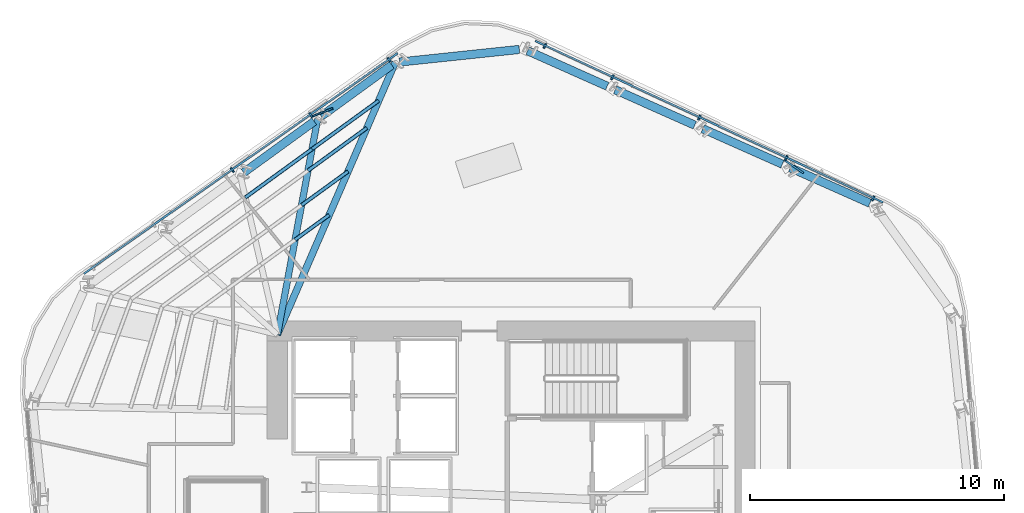
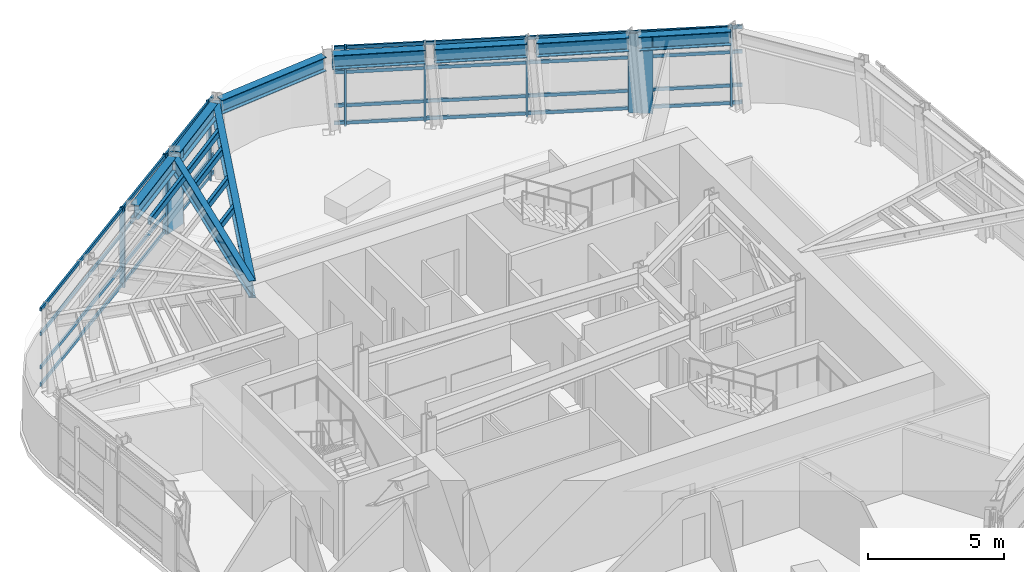
# One storey, part 6 of 14: 23 members, 9 beams, 2 elements without a shape of their own.
"""IFC4 building model written with IfcOpenShell, lengths in metres."""

from ifc_helpers import new_model, si_unit, direction, frame, origin, origin_2d, place, context, subcontext, project, spatial, rectangle, hollow_rectangle, i_section, extrude, material, layer, layer_set, material_profile, profile_set, type_object, element, aggregate, save


model = new_model("IFC4")

# Units and contexts
model_context = context("Model", 3, precision=1e-05, world=origin(), true_north=direction((0.0, 1.0)))
body_context = subcontext(model_context, "Body", "Model", "MODEL_VIEW")
ifc_project = project(units=[si_unit("LENGTHUNIT", "METRE"), si_unit("AREAUNIT", "SQUARE_METRE"), si_unit("VOLUMEUNIT", "CUBIC_METRE"), si_unit("PLANEANGLEUNIT", "RADIAN"), si_unit("MASSUNIT", "GRAM", prefix="KILO")], contexts=[model_context])

# Site, building, storey
site_placement = place(None, origin())
site = spatial("IfcSite", under=ifc_project, at=site_placement, CompositionType="ELEMENT")
building_placement = place(site_placement, origin())
building = spatial("IfcBuilding", under=site, at=building_placement, Name="Valkerne Bourse Tower", CompositionType="ELEMENT")
storey_placement = place(building_placement, frame((0.0, 0.0, 174.199951171875)))
storey = spatial("IfcBuildingStorey", under=building, at=storey_placement, Name="L44", CompositionType="ELEMENT", Elevation=174.199951171875)

# Beams
ifc_material_1 = material(Name="Steel ASTM A992", Category="steel")
ifc_material_profile_1 = material_profile(ifc_material_1, i_section(OverallWidth=0.32763671875, OverallDepth=0.62744140625, WebThickness=0.0166015625, FlangeThickness=0.027587890625, FilletRadius=0.020263671875, at=origin_2d()), Name="W24X146")
ifc_profile_set_1 = profile_set([ifc_material_profile_1], Name="Steel ASTM A992")
beam_type_1 = type_object("IfcBeamType", Name="BM-W24X146", PredefinedType="SPANDREL", material=ifc_profile_set_1)
for number, where, z_axis, x_axis, name in (
    (1, (60.914306640625, 40.576171875, 3.266357421875), (-0.913553153644, 0.406719357133, 0.0), (-0.406719357133, -0.913553153644, 0.0), "L44 Hexagonal Spandrel Ring Beam 00"),
    (2, (57.46923828125, 42.110107421875, 3.266357421875), (-0.913553153644, 0.406719357133, 0.0), (-0.406719357133, -0.913553153644, 0.0), "L44 Hexagonal Spandrel Ring Beam 01"),
):
    element("IfcBeam", number, at=place(storey_placement, frame(where, z_axis=z_axis, x_axis=x_axis)), inside=storey, type_object=beam_type_1, Name=name, PredefinedType="SPANDREL", context=body_context, shape_type="SweptSolid", body=[
        extrude(i_section(OverallWidth=0.32763671875, OverallDepth=0.62744140625, WebThickness=0.0166015625, FlangeThickness=0.027587890625, FilletRadius=0.020263671875, at=origin_2d()), origin(), (0.0, 0.0, 1.0), 3.43115234375),
    ])
for number, where, z_axis, x_axis, name in (
    (3, (54.024169921875, 43.643798828125, 3.266357421875), (-0.913541382067, 0.406745796845, 0.0), (-0.406745796845, -0.913541382067, 0.0), "L44 Hexagonal Spandrel Ring Beam 02"),
    (4, (50.5791015625, 45.177490234375, 3.266357421875), (-0.913514939642, 0.406805180708, 0.0), (-0.406805180708, -0.913514939642, 0.0), "L44 Hexagonal Spandrel Ring Beam 03"),
):
    element("IfcBeam", number, at=place(storey_placement, frame(where, z_axis=z_axis, x_axis=x_axis)), inside=storey, type_object=beam_type_1, Name=name, PredefinedType="SPANDREL", context=body_context, shape_type="SweptSolid", body=[
        extrude(i_section(OverallWidth=0.32763671875, OverallDepth=0.62744140625, WebThickness=0.0166015625, FlangeThickness=0.027587890625, FilletRadius=0.020263671875, at=origin_2d()), origin(), (0.0, 0.0, 1.0), 3.430908203125),
    ])
beam_1_placement = place(storey_placement, frame((47.12060546875, 46.62451171875, 3.266357421875), z_axis=(-0.994524345655, -0.10450514772, 0.0), x_axis=(0.10450514772, -0.994524345655, 0.0)))
element("IfcBeam", 5, at=beam_1_placement, inside=storey, type_object=beam_type_1, Name="L44 Hexagonal Spandrel Ring Beam 04", PredefinedType="SPANDREL", context=body_context, shape_type="SweptSolid", body=[
    extrude(i_section(OverallWidth=0.32763671875, OverallDepth=0.62744140625, WebThickness=0.0166015625, FlangeThickness=0.027587890625, FilletRadius=0.020263671875, at=origin_2d()), origin(), (0.0, 0.0, 1.0), 4.739990234375),
])
for number, where, z_axis, x_axis, name in (
    (6, (42.099853515625, 46.011474609375, 3.266357421875), (-0.809009839624, -0.587795099836, 0.0), (0.587795099836, -0.809009839624, 0.0), "L44 Hexagonal Spandrel Ring Beam 05"),
    (7, (39.049072265625, 43.794921875, 3.266357421875), (-0.809009839624, -0.587795099836, 0.0), (0.587795099836, -0.809009839624, 0.0), "L44 Hexagonal Spandrel Ring Beam 06"),
):
    element("IfcBeam", number, at=place(storey_placement, frame(where, z_axis=z_axis, x_axis=x_axis)), inside=storey, type_object=beam_type_1, Name=name, PredefinedType="SPANDREL", context=body_context, shape_type="SweptSolid", body=[
        extrude(i_section(OverallWidth=0.32763671875, OverallDepth=0.62744140625, WebThickness=0.0166015625, FlangeThickness=0.027587890625, FilletRadius=0.020263671875, at=origin_2d()), origin(), (0.0, 0.0, 1.0), 3.43115234375),
    ])
ifc_material_profile_2 = material_profile(ifc_material_1, i_section(OverallWidth=0.255859375, OverallDepth=0.693359375, WebThickness=0.014404296875, FlangeThickness=0.023681640625, FilletRadius=0.02294921875, at=origin_2d()), Name="W27X114")
ifc_profile_set_2 = profile_set([ifc_material_profile_2], Name="Steel ASTM A992")
beam_type_2 = type_object("IfcBeamType", Name="BM-W27X114", PredefinedType="BEAM", material=ifc_profile_set_2)
beam_2_placement = place(storey_placement, frame((39.1865234375, 43.894775390625, 3.2333984375), z_axis=(-0.183577192733, -0.983005297192, 0.0), x_axis=(0.983005297192, -0.183577192733, 0.0)))
element("IfcBeam", 8, at=beam_2_placement, inside=storey, type_object=beam_type_2, Name="L44 Radial Composite Floor Beam 06", PredefinedType="BEAM", context=body_context, shape_type="SweptSolid", body=[
    extrude(i_section(OverallWidth=0.255859375, OverallDepth=0.693359375, WebThickness=0.014404296875, FlangeThickness=0.023681640625, FilletRadius=0.02294921875, at=origin_2d()), origin(), (0.0, 0.0, 1.0), 8.641845703125),
])
ifc_material_profile_3 = material_profile(ifc_material_1, i_section(OverallWidth=0.26806640625, OverallDepth=0.76953125, WebThickness=0.015625, FlangeThickness=0.025390625, FilletRadius=0.025390625, at=origin_2d()), Name="W30X132")
ifc_profile_set_3 = profile_set([ifc_material_profile_3], Name="Steel ASTM A992")
beam_type_3 = type_object("IfcBeamType", Name="BM-W30X132", PredefinedType="BEAM", material=ifc_profile_set_3)
beam_3_placement = place(storey_placement, frame((42.2373046875, 46.111328125, 3.1953125), z_axis=(-0.397289262778, -0.917693435566, 0.0), x_axis=(0.917693435566, -0.397289262778, 0.0)))
element("IfcBeam", 9, at=beam_3_placement, inside=storey, type_object=beam_type_3, Name="L44 Radial Composite Floor Beam 05", PredefinedType="BEAM", context=body_context, shape_type="SweptSolid", body=[
    extrude(i_section(OverallWidth=0.26806640625, OverallDepth=0.76953125, WebThickness=0.015625, FlangeThickness=0.025390625, FilletRadius=0.025390625, at=origin_2d()), origin(), (0.0, 0.0, 1.0), 11.672119140625),
])

# Curtain wall, members
ifc_material_2 = material(Name="Aluminium AA 6063-T6", Category="aluminium")
ifc_layer = layer(ifc_material_2, 0.235107421875)
ifc_layer_set = layer_set([ifc_layer], Name="Aluminium AA 6063-T6")
curtain_wall_type = type_object("IfcCurtainWallType", Name="CW-03", PredefinedType="NOTDEFINED", material=ifc_layer_set)
curtain_wall_1_placement = place(storey_placement, origin())
curtain_wall_1 = element("IfcCurtainWall", 10, at=curtain_wall_1_placement, inside=storey, type_object=curtain_wall_type, Name="L44 Hexagonal Stick Curtain Wall Face 1", PredefinedType="NOTDEFINED")
ifc_material_profile_4 = material_profile(ifc_material_2, rectangle(XDim=0.074951171875, YDim=0.199951171875, at=origin_2d()), Name="CWM-75X200")
ifc_profile_set_4 = profile_set([ifc_material_profile_4], Name="Aluminium AA 6063-T6")
member_type_1 = type_object("IfcMemberType", Name="CW-MUL-220X75", PredefinedType="MULLION", material=ifc_profile_set_4)
member_1_placement = place(storey_placement, frame((61.0419921875, 40.7666015625, 0.0), z_axis=(0.0, 0.0, 1.0), x_axis=(-0.907048392955, 0.421026380215, 0.0)))
member_1 = element("IfcMember", 11, at=member_1_placement, type_object=member_type_1, Name="CW-L44-F1 Jamb Mullion 00A", PredefinedType="MULLION", context=body_context, shape_type="SweptSolid", body=[
    extrude(rectangle(XDim=0.074951171875, YDim=0.199951171875, at=origin_2d()), origin(), (0.0, 0.0, 1.0), 3.580078125),
])
member_2_placement = place(storey_placement, frame((57.62158203125, 42.354248046875, 0.0), z_axis=(0.0, 0.0, 1.0), x_axis=(-0.90704369212, 0.421036507426, 0.0)))
member_2 = element("IfcMember", 12, at=member_2_placement, type_object=member_type_1, Name="CW-L44-F1 Jamb Mullion 01A", PredefinedType="MULLION", context=body_context, shape_type="SweptSolid", body=[
    extrude(rectangle(XDim=0.074951171875, YDim=0.199951171875, at=origin_2d()), origin(), (0.0, 0.0, 1.0), 3.580078125),
])
member_3_placement = place(storey_placement, frame((54.201171875, 43.94189453125, 0.0), z_axis=(0.0, 0.0, 1.0), x_axis=(-0.907048392955, 0.421026380215, 0.0)))
member_3 = element("IfcMember", 13, at=member_3_placement, type_object=member_type_1, Name="CW-L44-F1 Jamb Mullion 02A", PredefinedType="MULLION", context=body_context, shape_type="SweptSolid", body=[
    extrude(rectangle(XDim=0.074951171875, YDim=0.199951171875, at=origin_2d()), origin(), (0.0, 0.0, 1.0), 3.580078125),
])
member_4_placement = place(storey_placement, frame((50.78076171875, 45.529541015625, 0.0), z_axis=(0.0, 0.0, 1.0), x_axis=(-0.907038265814, 0.42104819718, 0.0)))
member_4 = element("IfcMember", 14, at=member_4_placement, type_object=member_type_1, Name="CW-L44-F1 Jamb Mullion 03A", PredefinedType="MULLION", context=body_context, shape_type="SweptSolid", body=[
    extrude(rectangle(XDim=0.074951171875, YDim=0.199951171875, at=origin_2d()), origin(), (0.0, 0.0, 1.0), 3.580078125),
])
member_5_placement = place(storey_placement, frame((48.1220703125, 46.763916015625, 0.0), z_axis=(0.0, 0.0, 1.0), x_axis=(-0.907038265814, 0.42104819718, 0.0)))
member_5 = element("IfcMember", 15, at=member_5_placement, type_object=member_type_1, Name="CW-L44-F1 Jamb Mullion 03B", PredefinedType="MULLION", context=body_context, shape_type="SweptSolid", body=[
    extrude(rectangle(XDim=0.074951171875, YDim=0.199951171875, at=origin_2d()), origin(), (0.0, 0.0, 1.0), 3.580078125),
])

curtain_wall_2_placement = place(storey_placement, origin())
curtain_wall_2 = element("IfcCurtainWall", 16, at=curtain_wall_2_placement, inside=storey, type_object=curtain_wall_type, Name="L44 Hexagonal Stick Curtain Wall Face 2", PredefinedType="NOTDEFINED")
member_6_placement = place(storey_placement, frame((41.998779296875, 46.21728515625, 0.0), z_axis=(0.0, 0.0, 1.0), x_axis=(-0.818139097953, -0.575020361728, 0.0)))
member_6 = element("IfcMember", 17, at=member_6_placement, type_object=member_type_1, Name="CW-L44-F2 Jamb Mullion 00A", PredefinedType="MULLION", context=body_context, shape_type="SweptSolid", body=[
    extrude(rectangle(XDim=0.074951171875, YDim=0.199951171875, at=origin_2d()), origin(), (0.0, 0.0, 1.0), 3.580078125),
])
member_7_placement = place(storey_placement, frame((38.913818359375, 44.048828125, 0.0), z_axis=(0.0, 0.0, 1.0), x_axis=(-0.818160340843, -0.574990136151, 0.0)))
member_7 = element("IfcMember", 18, at=member_7_placement, type_object=member_type_1, Name="CW-L44-F2 Jamb Mullion 01A", PredefinedType="MULLION", context=body_context, shape_type="SweptSolid", body=[
    extrude(rectangle(XDim=0.074951171875, YDim=0.199951171875, at=origin_2d()), origin(), (0.0, 0.0, 1.0), 3.580078125),
])
member_8_placement = place(storey_placement, frame((35.828369140625, 41.880615234375, 0.0), z_axis=(0.0, 0.0, 1.0), x_axis=(-0.818139097953, -0.575020361728, 0.0)))
member_8 = element("IfcMember", 19, at=member_8_placement, type_object=member_type_1, Name="CW-L44-F2 Jamb Mullion 02A", PredefinedType="MULLION", context=body_context, shape_type="SweptSolid", body=[
    extrude(rectangle(XDim=0.074951171875, YDim=0.199951171875, at=origin_2d()), origin(), (0.0, 0.0, 1.0), 3.580078125),
])

# Member
ifc_material_profile_5 = material_profile(ifc_material_2, rectangle(XDim=0.074951171875, YDim=0.14990234375, at=origin_2d()), Name="CWT-75X150")
ifc_profile_set_5 = profile_set([ifc_material_profile_5], Name="Aluminium AA 6063-T6")
member_type_2 = type_object("IfcMemberType", Name="CW-TRN-180X65", PredefinedType="USERDEFINED", material=ifc_profile_set_5)
member_9_placement = place(storey_placement, frame((61.431396484375, 40.60791015625, 0.1201171875), z_axis=(-0.907046277236, 0.421030938237, 0.0), x_axis=(-0.421030938237, -0.907046277236, 0.0)))
member_9 = element("IfcMember", 20, at=member_9_placement, type_object=member_type_2, Name="CW-L44-F1 Continuous Face Transom 1", ObjectType="TRANSOM", PredefinedType="USERDEFINED", context=body_context, shape_type="SweptSolid", body=[
    extrude(rectangle(XDim=0.074951171875, YDim=0.14990234375, at=origin_2d()), origin(), (0.0, 0.0, 1.0), 15.083984375),
])

member_10_placement = place(storey_placement, frame((61.431396484375, 40.60791015625, 0.900146484375), z_axis=(-0.907046277236, 0.421030938237, 0.0), x_axis=(-0.421030938237, -0.907046277236, 0.0)))
member_10 = element("IfcMember", 21, at=member_10_placement, type_object=member_type_2, Name="CW-L44-F1 Continuous Face Transom 2", ObjectType="TRANSOM", PredefinedType="USERDEFINED", context=body_context, shape_type="SweptSolid", body=[
    extrude(rectangle(XDim=0.074951171875, YDim=0.14990234375, at=origin_2d()), origin(), (0.0, 0.0, 1.0), 15.083984375),
])

member_11_placement = place(storey_placement, frame((61.431396484375, 40.60791015625, 2.400146484375), z_axis=(-0.907046277236, 0.421030938237, 0.0), x_axis=(-0.421030938237, -0.907046277236, 0.0)))
member_11 = element("IfcMember", 22, at=member_11_placement, type_object=member_type_2, Name="CW-L44-F1 Continuous Face Transom 3", ObjectType="TRANSOM", PredefinedType="USERDEFINED", context=body_context, shape_type="SweptSolid", body=[
    extrude(rectangle(XDim=0.074951171875, YDim=0.14990234375, at=origin_2d()), origin(), (0.0, 0.0, 1.0), 15.083984375),
])

member_12_placement = place(storey_placement, frame((61.431396484375, 40.60791015625, 3.5), z_axis=(-0.907046277236, 0.421030938237, 0.0), x_axis=(-0.421030938237, -0.907046277236, 0.0)))
member_12 = element("IfcMember", 23, at=member_12_placement, type_object=member_type_2, Name="CW-L44-F1 Continuous Face Transom 4", ObjectType="TRANSOM", PredefinedType="USERDEFINED", context=body_context, shape_type="SweptSolid", body=[
    extrude(rectangle(XDim=0.074951171875, YDim=0.14990234375, at=origin_2d()), origin(), (0.0, 0.0, 1.0), 15.083984375),
])

aggregate(curtain_wall_1, [member_9, member_10, member_11, member_12, member_1, member_2, member_3, member_4, member_5])

member_13_placement = place(storey_placement, frame((42.3310546875, 46.47509765625, 0.1201171875), z_axis=(-0.818153008472, -0.575000569328, 0.0), x_axis=(0.575000569328, -0.818153008472, 0.0)))
member_13 = element("IfcMember", 24, at=member_13_placement, type_object=member_type_2, Name="CW-L44-F2 Continuous Face Transom 1", ObjectType="TRANSOM", PredefinedType="USERDEFINED", context=body_context, shape_type="SweptSolid", body=[
    extrude(rectangle(XDim=0.074951171875, YDim=0.14990234375, at=origin_2d()), origin(), (0.0, 0.0, 1.0), 15.083984375),
])

member_14_placement = place(storey_placement, frame((42.3310546875, 46.47509765625, 0.900146484375), z_axis=(-0.818153008472, -0.575000569328, 0.0), x_axis=(0.575000569328, -0.818153008472, 0.0)))
member_14 = element("IfcMember", 25, at=member_14_placement, type_object=member_type_2, Name="CW-L44-F2 Continuous Face Transom 2", ObjectType="TRANSOM", PredefinedType="USERDEFINED", context=body_context, shape_type="SweptSolid", body=[
    extrude(rectangle(XDim=0.074951171875, YDim=0.14990234375, at=origin_2d()), origin(), (0.0, 0.0, 1.0), 15.083984375),
])

member_15_placement = place(storey_placement, frame((42.3310546875, 46.47509765625, 2.400146484375), z_axis=(-0.818153008472, -0.575000569328, 0.0), x_axis=(0.575000569328, -0.818153008472, 0.0)))
member_15 = element("IfcMember", 26, at=member_15_placement, type_object=member_type_2, Name="CW-L44-F2 Continuous Face Transom 3", ObjectType="TRANSOM", PredefinedType="USERDEFINED", context=body_context, shape_type="SweptSolid", body=[
    extrude(rectangle(XDim=0.074951171875, YDim=0.14990234375, at=origin_2d()), origin(), (0.0, 0.0, 1.0), 15.083984375),
])

member_16_placement = place(storey_placement, frame((42.3310546875, 46.47509765625, 3.5), z_axis=(-0.818153008472, -0.575000569328, 0.0), x_axis=(0.575000569328, -0.818153008472, 0.0)))
member_16 = element("IfcMember", 27, at=member_16_placement, type_object=member_type_2, Name="CW-L44-F2 Continuous Face Transom 4", ObjectType="TRANSOM", PredefinedType="USERDEFINED", context=body_context, shape_type="SweptSolid", body=[
    extrude(rectangle(XDim=0.074951171875, YDim=0.14990234375, at=origin_2d()), origin(), (0.0, 0.0, 1.0), 15.083984375),
])

aggregate(curtain_wall_2, [member_13, member_14, member_15, member_16, member_6, member_7, member_8])

# Members
ifc_material_3 = material(Name="Bronze Anodised Aluminium AA 6063-T6", Category="aluminium")
ifc_material_profile_6 = material_profile(ifc_material_3, rectangle(XDim=0.070068359375, YDim=0.89990234375, at=origin_2d()), Name="FIN-70X900")
ifc_profile_set_6 = profile_set([ifc_material_profile_6], Name="Bronze Anodised Aluminium AA 6063-T6")
member_type_3 = type_object("IfcMemberType", Name="FIN-SOLAR-900", PredefinedType="USERDEFINED", material=ifc_profile_set_6)
for number, where, z_axis, x_axis, name in (
    (28, (57.9267578125, 42.01416015625, 0.004150390625), (0.0, 0.0, 1.0), (0.56068653055, 0.82802814835, 0.0), "L44 Bronze Anodised Solar Fin F1-01"),
    (29, (39.36083984375, 44.14306640625, 0.004150390625), (0.0, 0.0, 1.0), (-0.364239607337, 0.931305271351, 0.0), "L44 Bronze Anodised Solar Fin F2-01"),
):
    element("IfcMember", number, at=place(storey_placement, frame(where, z_axis=z_axis, x_axis=x_axis)), inside=storey, type_object=member_type_3, Name=name, ObjectType="SOLAR_FIN", PredefinedType="USERDEFINED", context=body_context, shape_type="SweptSolid", body=[
        extrude(rectangle(XDim=0.070068359375, YDim=0.89990234375, at=origin_2d()), origin(), (0.0, 0.0, 1.0), 3.57177734375),
    ])
ifc_material_4 = material(Name="Steel ASTM A500 Grade C", Category="steel")
ifc_material_profile_7 = material_profile(ifc_material_4, hollow_rectangle(XDim=0.14990234375, YDim=0.300048828125, WallThickness=0.012451171875, OuterFilletRadius=0.02490234375, at=origin_2d()), Name="HSS300X150X12.5")
ifc_profile_set_7 = profile_set([ifc_material_profile_7], Name="Steel ASTM A500 Grade C")
member_type_4 = type_object("IfcMemberType", Name="MBR-HSS300X150X12.5", PredefinedType="PURLIN", material=ifc_profile_set_7)
member_17_placement = place(storey_placement, frame((39.640380859375, 40.113037109375, 3.420166015625), z_axis=(-0.808984164536, -0.587830436035, 0.0), x_axis=(0.587830436035, -0.808984164536, 0.0)))
element("IfcMember", 30, at=member_17_placement, inside=storey, type_object=member_type_4, Name="L44 Secondary Composite Floor Purlin K-05", PredefinedType="PURLIN", context=body_context, shape_type="SweptSolid", body=[
    extrude(hollow_rectangle(XDim=0.14990234375, YDim=0.300048828125, WallThickness=0.012451171875, OuterFilletRadius=0.02490234375, at=origin_2d()), origin(), (0.0, 0.0, 1.0), 1.6591796875),
])
member_18_placement = place(storey_placement, frame((41.124267578125, 43.54052734375, 3.420166015625), z_axis=(-0.809015956887, -0.58778668027, 0.0), x_axis=(0.58778668027, -0.809015956887, 0.0)))
element("IfcMember", 31, at=member_18_placement, inside=storey, type_object=member_type_4, Name="L44 Secondary Composite Floor Purlin O-05", PredefinedType="PURLIN", context=body_context, shape_type="SweptSolid", body=[
    extrude(hollow_rectangle(XDim=0.14990234375, YDim=0.300048828125, WallThickness=0.012451171875, OuterFilletRadius=0.02490234375, at=origin_2d()), origin(), (0.0, 0.0, 1.0), 2.865966796875),
])
member_19_placement = place(storey_placement, frame((40.38232421875, 41.826904296875, 3.420166015625), z_axis=(-0.808960000403, -0.587863689769, 0.0), x_axis=(0.587863689769, -0.808960000403, 0.0)))
element("IfcMember", 32, at=member_19_placement, inside=storey, type_object=member_type_4, Name="L44 Secondary Composite Floor Purlin Z-05", PredefinedType="PURLIN", context=body_context, shape_type="SweptSolid", body=[
    extrude(hollow_rectangle(XDim=0.14990234375, YDim=0.300048828125, WallThickness=0.012451171875, OuterFilletRadius=0.02490234375, at=origin_2d()), origin(), (0.0, 0.0, 1.0), 2.262451171875),
])
member_20_placement = place(storey_placement, frame((41.588134765625, 44.61181640625, 3.420166015625), z_axis=(-0.808986658206, -0.587827004181, 0.0), x_axis=(0.587827004181, -0.808986658206, 0.0)))
element("IfcMember", 33, at=member_20_placement, inside=storey, type_object=member_type_4, Name="L44 Secondary Composite Floor Purlin T-05", PredefinedType="PURLIN", context=body_context, shape_type="SweptSolid", body=[
    extrude(hollow_rectangle(XDim=0.14990234375, YDim=0.300048828125, WallThickness=0.012451171875, OuterFilletRadius=0.02490234375, at=origin_2d()), origin(), (0.0, 0.0, 1.0), 3.243408203125),
])
member_21_placement = place(storey_placement, frame((38.96435546875, 42.705322265625, 3.420166015625), z_axis=(-0.809032245547, -0.587764260282, 0.0), x_axis=(0.587764260282, -0.809032245547, 0.0)))
element("IfcMember", 34, at=member_21_placement, inside=storey, type_object=member_type_4, Name="L44 Secondary Composite Floor Purlin T-06", PredefinedType="PURLIN", context=body_context, shape_type="SweptSolid", body=[
    extrude(hollow_rectangle(XDim=0.14990234375, YDim=0.300048828125, WallThickness=0.012451171875, OuterFilletRadius=0.02490234375, at=origin_2d()), origin(), (0.0, 0.0, 1.0), 3.242919921875),
])

save(model, "model.ifc")
